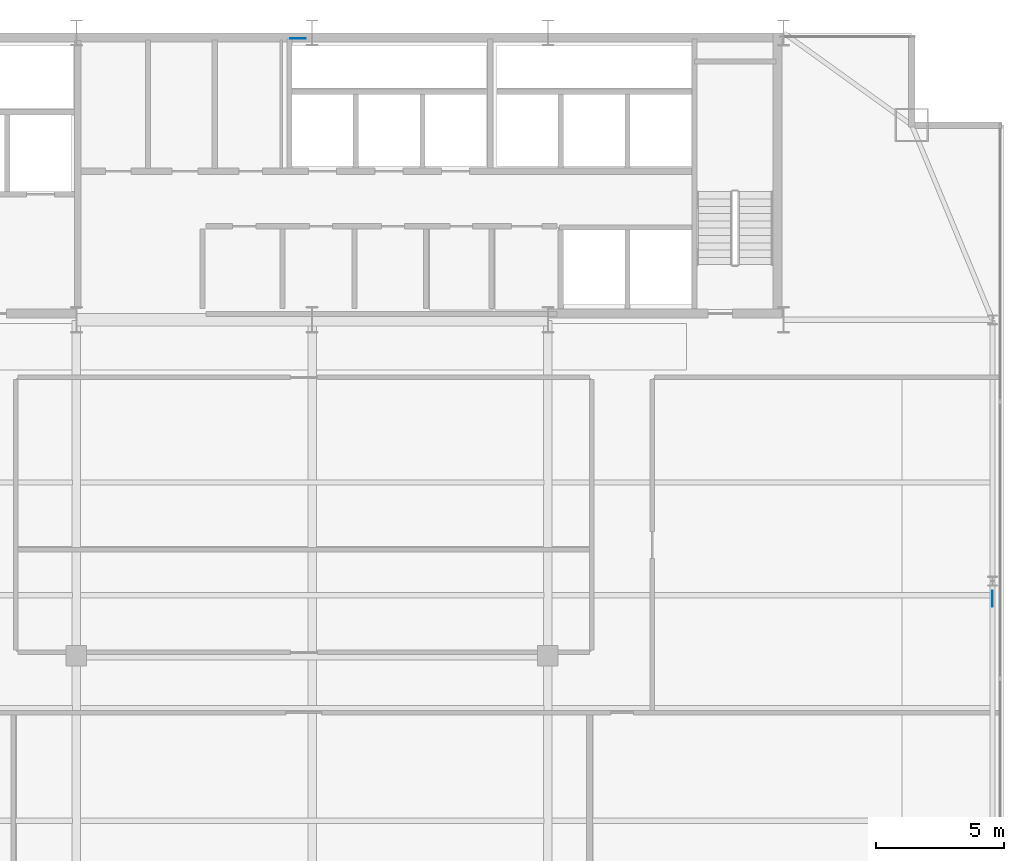
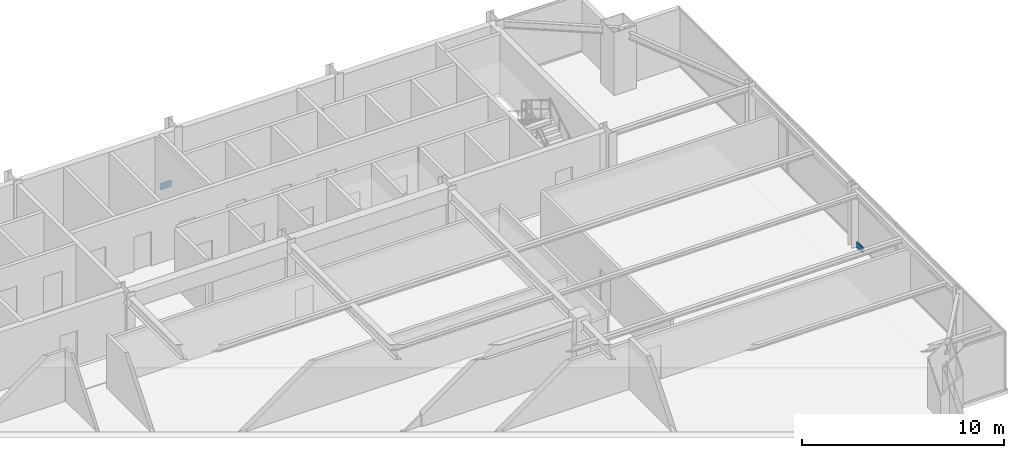
# One storey, part 26 of 31: 2 plates.
"""IFC4 building model written with IfcOpenShell, lengths in metres."""

from ifc_helpers import new_model, si_unit, direction, frame, origin, origin_2d, place, context, subcontext, project, spatial, rectangle, extrude, source, transform, mapped, material, layer, layer_set, type_object, type_shapes, element, save


model = new_model("IFC4")

# Units and contexts
model_context = context("Model", 3, precision=1e-05, world=origin(), true_north=direction((0.0, 1.0)))
body_context = subcontext(model_context, "Body", "Model", "MODEL_VIEW")
ifc_project = project(units=[si_unit("LENGTHUNIT", "METRE"), si_unit("AREAUNIT", "SQUARE_METRE"), si_unit("VOLUMEUNIT", "CUBIC_METRE"), si_unit("PLANEANGLEUNIT", "RADIAN"), si_unit("MASSUNIT", "GRAM", prefix="KILO")], contexts=[model_context])

# Site, building, storey
site_placement = place(None, origin())
site = spatial("IfcSite", under=ifc_project, at=site_placement, CompositionType="ELEMENT")
building_placement = place(site_placement, origin())
building = spatial("IfcBuilding", under=site, at=building_placement, Name="Varnel Quay Broadcast Tower", CompositionType="ELEMENT")
storey_placement = place(building_placement, frame((0.0, 0.0, 153.39990234375)))
storey = spatial("IfcBuildingStorey", under=building, at=storey_placement, Name="L37", CompositionType="ELEMENT", Elevation=153.39990234375)

# Plates
ifc_material = material(Name="Structural Steel CSA G40.21 350WT", Category="steel")
ifc_layer = layer(ifc_material, 0.031982421875, Name="Structural Steel CSA G40.21 350WT")
ifc_layer_set = layer_set([ifc_layer], Name="Structural Steel CSA G40.21 350WT")
plate_type = type_object("IfcPlateType", Name="Plate_EndCap", PredefinedType="USERDEFINED", material=ifc_layer_set)
shared_shape = source(origin(), body_context, "Body", "SweptSolid", [
    extrude(rectangle(XDim=0.6201171875, YDim=0.031982421875, at=origin_2d()), origin(), (0.0, 0.0, 1.0), 0.3798828125),
])
type_shapes(plate_type, [shared_shape])
for number, where, z_axis, x_axis, name in (
    (1, (33.447021484375, 46.580078125, 0.133056640625), (0.0, 0.0, 1.0), (1.0, 0.0, 0.0), "Zone 3 Mega-Brace N-CT1 Diag B2 End Connection Plate P0"),
    (2, (60.550048828125, 24.716064453125, 0.107666015625), (0.0, 0.0, 1.0), (0.0, 1.0, 0.0), "Zone 3 Mega-Brace E-FT1 Diag B2 End Connection Plate P0"),
):
    element("IfcPlate", number, at=place(storey_placement, frame(where, z_axis=z_axis, x_axis=x_axis)), inside=storey, type_object=plate_type, Name=name, ObjectType="CAP_PLATE", PredefinedType="USERDEFINED", context=body_context, shape_type="MappedRepresentation", body=[
        mapped(shared_shape, transform((0.0, 0.0, 0.0), x_axis=(1.0, 0.0, 0.0), y_axis=(0.0, 1.0, 0.0), z_axis=(0.0, 0.0, 1.0), scale=1.0)),
    ])

save(model, "model.ifc")
